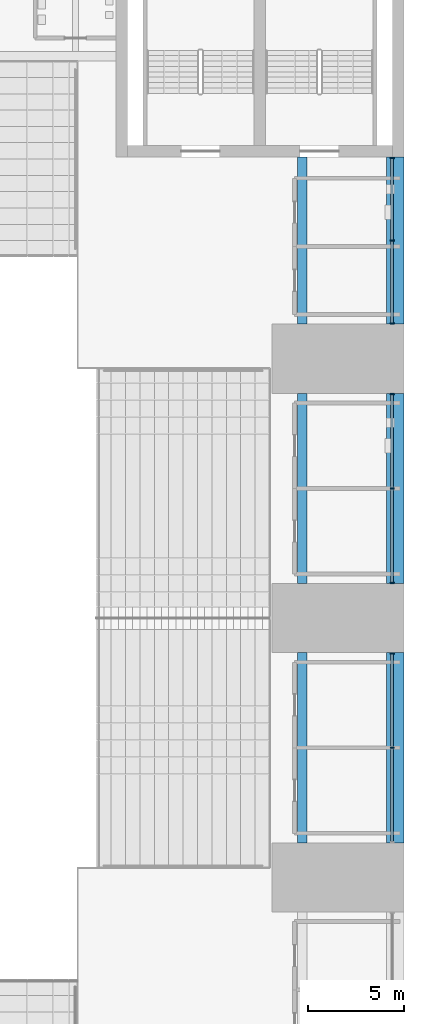
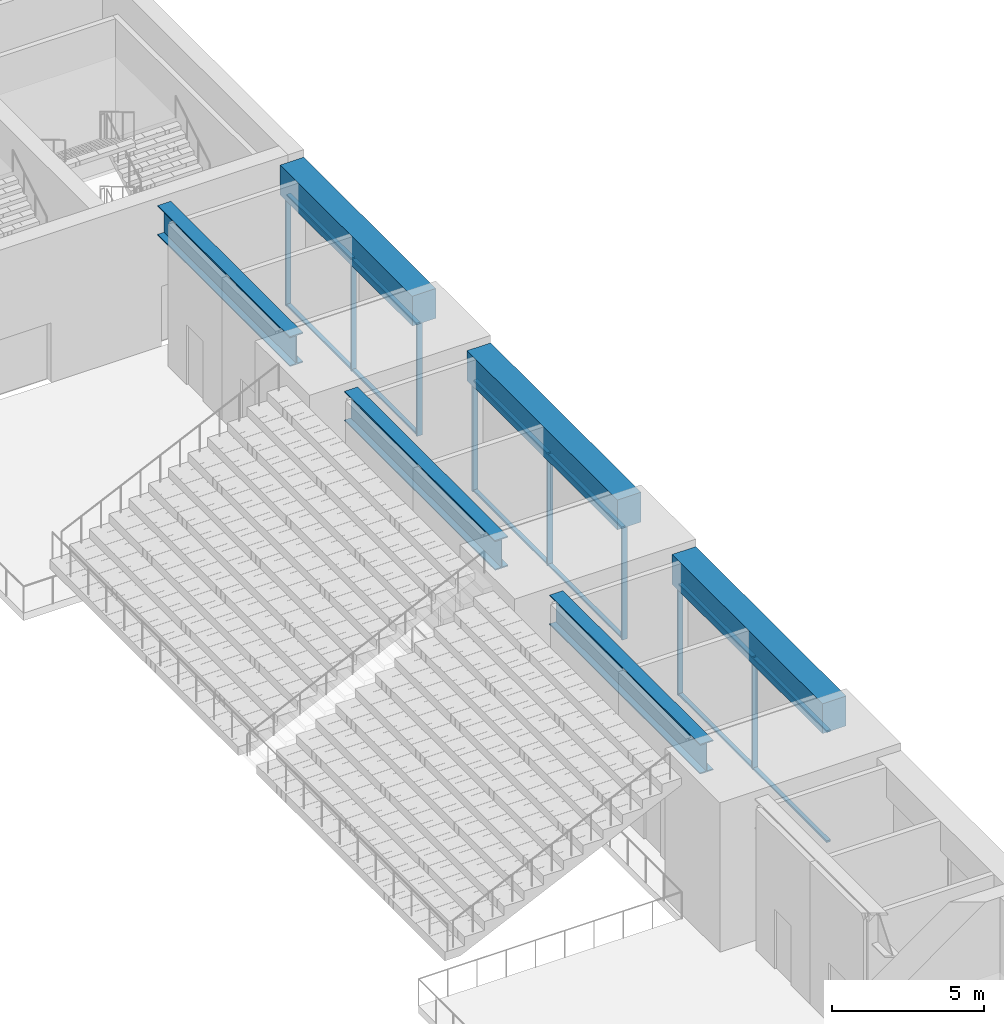
# One storey, part 9 of 61: 20 members, 6 beams, 3 elements without a shape of their own.
"""IFC4 building model written with IfcOpenShell, lengths in metres."""

from ifc_helpers import new_model, si_unit, direction, frame, origin, origin_2d, place, context, subcontext, project, spatial, rectangle, i_section, extrude, material, layer, layer_set, material_profile, profile_set, type_object, element, aggregate, save


model = new_model("IFC4")

# Units and contexts
model_context = context("Model", 3, precision=1e-05, world=origin(), true_north=direction((0.0, 1.0)))
body_context = subcontext(model_context, "Body", "Model", "MODEL_VIEW")
ifc_project = project(units=[si_unit("LENGTHUNIT", "METRE"), si_unit("AREAUNIT", "SQUARE_METRE"), si_unit("VOLUMEUNIT", "CUBIC_METRE"), si_unit("PLANEANGLEUNIT", "RADIAN"), si_unit("MASSUNIT", "GRAM", prefix="KILO")], contexts=[model_context])

# Site, building, storey
site_placement = place(None, origin())
site = spatial("IfcSite", under=ifc_project, at=site_placement, CompositionType="ELEMENT")
building_placement = place(site_placement, origin())
building = spatial("IfcBuilding", under=site, at=building_placement, Name="Corbelhall Arena Tower", CompositionType="ELEMENT")
storey_placement = place(building_placement, frame((0.0, 0.0, 31.0)))
storey = spatial("IfcBuildingStorey", under=building, at=storey_placement, Name="L04", CompositionType="ELEMENT", Elevation=31.0)

# Curtain wall, members
ifc_material_1 = material(Name="Aluminium black anodised", Category="aluminium")
ifc_layer = layer(ifc_material_1, 0.239990234375)
ifc_layer_set = layer_set([ifc_layer], Name="EV-CW4 Arena concourse glazing")
curtain_wall_type = type_object("IfcCurtainWallType", Name="EV-CW4 Arena concourse glazing", PredefinedType="NOTDEFINED", material=ifc_layer_set)
curtain_wall_1_placement = place(storey_placement, origin())
curtain_wall_1 = element("IfcCurtainWall", 1, at=curtain_wall_1_placement, inside=storey, type_object=curtain_wall_type, Name="Curtain wall CW4", PredefinedType="NOTDEFINED")
ifc_material_profile_1 = material_profile(ifc_material_1, rectangle(XDim=0.199951171875, YDim=0.074951171875, at=origin_2d()))
ifc_profile_set_1 = profile_set([ifc_material_profile_1], Name="Aluminium black anodised")
member_type_1 = type_object("IfcMemberType", Name="EV-CW4-MULLION", PredefinedType="MULLION", material=ifc_profile_set_1)
member_1_placement = place(storey_placement, frame((47.3798828125, -6.75, 0.0), z_axis=(0.0, 0.0, 1.0), x_axis=(-1.0, 0.0, 0.0)))
member_1 = element("IfcMember", 2, at=member_1_placement, type_object=member_type_1, Name="CW4 mullion 2", PredefinedType="MULLION", context=body_context, shape_type="SweptSolid", body=[
    extrude(rectangle(XDim=0.199951171875, YDim=0.074951171875, at=origin_2d()), origin(), (0.0, 0.0, 1.0), 4.5),
])
member_2_placement = place(storey_placement, frame((47.3798828125, -1.83740234375, 0.0), z_axis=(0.0, 0.0, 1.0), x_axis=(-1.0, 0.0, 0.0)))
member_2 = element("IfcMember", 3, at=member_2_placement, type_object=member_type_1, Name="CW4 mullion 3", PredefinedType="MULLION", context=body_context, shape_type="SweptSolid", body=[
    extrude(rectangle(XDim=0.199951171875, YDim=0.074951171875, at=origin_2d()), origin(), (0.0, 0.0, 1.0), 4.5),
])

curtain_wall_2_placement = place(storey_placement, origin())
curtain_wall_2 = element("IfcCurtainWall", 4, at=curtain_wall_2_placement, inside=storey, type_object=curtain_wall_type, Name="Curtain wall CW4", PredefinedType="NOTDEFINED")
member_3_placement = place(storey_placement, frame((47.3798828125, 1.83740234375, 0.0), z_axis=(0.0, 0.0, 1.0), x_axis=(-1.0, 0.0, 0.0)))
member_3 = element("IfcMember", 5, at=member_3_placement, type_object=member_type_1, Name="CW4 mullion 1", PredefinedType="MULLION", context=body_context, shape_type="SweptSolid", body=[
    extrude(rectangle(XDim=0.199951171875, YDim=0.074951171875, at=origin_2d()), origin(), (0.0, 0.0, 1.0), 4.5),
])
member_4_placement = place(storey_placement, frame((47.3798828125, 6.75, 0.0), z_axis=(0.0, 0.0, 1.0), x_axis=(-1.0, 0.0, 0.0)))
member_4 = element("IfcMember", 6, at=member_4_placement, type_object=member_type_1, Name="CW4 mullion 2", PredefinedType="MULLION", context=body_context, shape_type="SweptSolid", body=[
    extrude(rectangle(XDim=0.199951171875, YDim=0.074951171875, at=origin_2d()), origin(), (0.0, 0.0, 1.0), 4.5),
])
member_5_placement = place(storey_placement, frame((47.3798828125, 11.66259765625, 0.0), z_axis=(0.0, 0.0, 1.0), x_axis=(-1.0, 0.0, 0.0)))
member_5 = element("IfcMember", 7, at=member_5_placement, type_object=member_type_1, Name="CW4 mullion 3", PredefinedType="MULLION", context=body_context, shape_type="SweptSolid", body=[
    extrude(rectangle(XDim=0.199951171875, YDim=0.074951171875, at=origin_2d()), origin(), (0.0, 0.0, 1.0), 4.5),
])

curtain_wall_3_placement = place(storey_placement, origin())
curtain_wall_3 = element("IfcCurtainWall", 8, at=curtain_wall_3_placement, inside=storey, type_object=curtain_wall_type, Name="Curtain wall CW4B", PredefinedType="NOTDEFINED")
member_6_placement = place(storey_placement, frame((47.3798828125, 15.33740234375, 0.0), z_axis=(0.0, 0.0, 1.0), x_axis=(-1.0, 0.0, 0.0)))
member_6 = element("IfcMember", 9, at=member_6_placement, type_object=member_type_1, Name="CW4B mullion 1", PredefinedType="MULLION", context=body_context, shape_type="SweptSolid", body=[
    extrude(rectangle(XDim=0.199951171875, YDim=0.074951171875, at=origin_2d()), origin(), (0.0, 0.0, 1.0), 4.5),
])
member_7_placement = place(storey_placement, frame((47.3798828125, 19.64990234375, 0.0), z_axis=(0.0, 0.0, 1.0), x_axis=(-1.0, 0.0, 0.0)))
member_7 = element("IfcMember", 10, at=member_7_placement, type_object=member_type_1, Name="CW4B mullion 2", PredefinedType="MULLION", context=body_context, shape_type="SweptSolid", body=[
    extrude(rectangle(XDim=0.199951171875, YDim=0.074951171875, at=origin_2d()), origin(), (0.0, 0.0, 1.0), 4.5),
])
member_8_placement = place(storey_placement, frame((47.3798828125, 23.96240234375, 0.0), z_axis=(0.0, 0.0, 1.0), x_axis=(-1.0, 0.0, 0.0)))
member_8 = element("IfcMember", 11, at=member_8_placement, type_object=member_type_1, Name="CW4B mullion 3", PredefinedType="MULLION", context=body_context, shape_type="SweptSolid", body=[
    extrude(rectangle(XDim=0.199951171875, YDim=0.074951171875, at=origin_2d()), origin(), (0.0, 0.0, 1.0), 4.5),
])

# Member
ifc_material_profile_2 = material_profile(ifc_material_1, rectangle(XDim=0.14990234375, YDim=0.074951171875, at=origin_2d()))
ifc_profile_set_2 = profile_set([ifc_material_profile_2], Name="Aluminium black anodised")
member_type_2 = type_object("IfcMemberType", Name="EV-CW4-TRANSOM", PredefinedType="USERDEFINED", material=ifc_profile_set_2)
member_9_placement = place(storey_placement, frame((47.3798828125, -11.625, 0.03759765625), z_axis=(0.0, 1.0, 0.0), x_axis=(-1.0, 0.0, 0.0)))
member_9 = element("IfcMember", 12, at=member_9_placement, type_object=member_type_2, Name="CW4 transom 1.1", ObjectType="transom", PredefinedType="USERDEFINED", context=body_context, shape_type="SweptSolid", body=[
    extrude(rectangle(XDim=0.14990234375, YDim=0.074951171875, at=origin_2d()), origin(), (0.0, 0.0, 1.0), 4.83740234375),
])

member_10_placement = place(storey_placement, frame((47.3798828125, -11.625, 4.46240234375), z_axis=(0.0, 1.0, 0.0), x_axis=(-1.0, 0.0, 0.0)))
member_10 = element("IfcMember", 13, at=member_10_placement, type_object=member_type_2, Name="CW4 transom 1.2", ObjectType="transom", PredefinedType="USERDEFINED", context=body_context, shape_type="SweptSolid", body=[
    extrude(rectangle(XDim=0.14990234375, YDim=0.074951171875, at=origin_2d()), origin(), (0.0, 0.0, 1.0), 4.83740234375),
])

member_11_placement = place(storey_placement, frame((47.3798828125, -6.71240234375, 0.03759765625), z_axis=(0.0, 1.0, 0.0), x_axis=(-1.0, 0.0, 0.0)))
member_11 = element("IfcMember", 14, at=member_11_placement, type_object=member_type_2, Name="CW4 transom 2.1", ObjectType="transom", PredefinedType="USERDEFINED", context=body_context, shape_type="SweptSolid", body=[
    extrude(rectangle(XDim=0.14990234375, YDim=0.074951171875, at=origin_2d()), origin(), (0.0, 0.0, 1.0), 4.83740234375),
])

member_12_placement = place(storey_placement, frame((47.3798828125, -6.71240234375, 4.46240234375), z_axis=(0.0, 1.0, 0.0), x_axis=(-1.0, 0.0, 0.0)))
member_12 = element("IfcMember", 15, at=member_12_placement, type_object=member_type_2, Name="CW4 transom 2.2", ObjectType="transom", PredefinedType="USERDEFINED", context=body_context, shape_type="SweptSolid", body=[
    extrude(rectangle(XDim=0.14990234375, YDim=0.074951171875, at=origin_2d()), origin(), (0.0, 0.0, 1.0), 4.83740234375),
])

aggregate(curtain_wall_1, [member_1, member_2, member_9, member_10, member_11, member_12])

member_13_placement = place(storey_placement, frame((47.3798828125, 1.875, 0.03759765625), z_axis=(0.0, 1.0, 0.0), x_axis=(-1.0, 0.0, 0.0)))
member_13 = element("IfcMember", 16, at=member_13_placement, type_object=member_type_2, Name="CW4 transom 1.1", ObjectType="transom", PredefinedType="USERDEFINED", context=body_context, shape_type="SweptSolid", body=[
    extrude(rectangle(XDim=0.14990234375, YDim=0.074951171875, at=origin_2d()), origin(), (0.0, 0.0, 1.0), 4.83740234375),
])

member_14_placement = place(storey_placement, frame((47.3798828125, 1.875, 4.46240234375), z_axis=(0.0, 1.0, 0.0), x_axis=(-1.0, 0.0, 0.0)))
member_14 = element("IfcMember", 17, at=member_14_placement, type_object=member_type_2, Name="CW4 transom 1.2", ObjectType="transom", PredefinedType="USERDEFINED", context=body_context, shape_type="SweptSolid", body=[
    extrude(rectangle(XDim=0.14990234375, YDim=0.074951171875, at=origin_2d()), origin(), (0.0, 0.0, 1.0), 4.83740234375),
])

member_15_placement = place(storey_placement, frame((47.3798828125, 6.78759765625, 0.03759765625), z_axis=(0.0, 1.0, 0.0), x_axis=(-1.0, 0.0, 0.0)))
member_15 = element("IfcMember", 18, at=member_15_placement, type_object=member_type_2, Name="CW4 transom 2.1", ObjectType="transom", PredefinedType="USERDEFINED", context=body_context, shape_type="SweptSolid", body=[
    extrude(rectangle(XDim=0.14990234375, YDim=0.074951171875, at=origin_2d()), origin(), (0.0, 0.0, 1.0), 4.83740234375),
])

member_16_placement = place(storey_placement, frame((47.3798828125, 6.78759765625, 4.46240234375), z_axis=(0.0, 1.0, 0.0), x_axis=(-1.0, 0.0, 0.0)))
member_16 = element("IfcMember", 19, at=member_16_placement, type_object=member_type_2, Name="CW4 transom 2.2", ObjectType="transom", PredefinedType="USERDEFINED", context=body_context, shape_type="SweptSolid", body=[
    extrude(rectangle(XDim=0.14990234375, YDim=0.074951171875, at=origin_2d()), origin(), (0.0, 0.0, 1.0), 4.83740234375),
])

aggregate(curtain_wall_2, [member_3, member_4, member_5, member_13, member_14, member_15, member_16])

member_17_placement = place(storey_placement, frame((47.3798828125, 15.375, 0.03759765625), z_axis=(0.0, 1.0, 0.0), x_axis=(-1.0, 0.0, 0.0)))
member_17 = element("IfcMember", 20, at=member_17_placement, type_object=member_type_2, Name="CW4B transom 1.1", ObjectType="transom", PredefinedType="USERDEFINED", context=body_context, shape_type="SweptSolid", body=[
    extrude(rectangle(XDim=0.14990234375, YDim=0.074951171875, at=origin_2d()), origin(), (0.0, 0.0, 1.0), 4.237548828125),
])

member_18_placement = place(storey_placement, frame((47.3798828125, 15.375, 4.46240234375), z_axis=(0.0, 1.0, 0.0), x_axis=(-1.0, 0.0, 0.0)))
member_18 = element("IfcMember", 21, at=member_18_placement, type_object=member_type_2, Name="CW4B transom 1.2", ObjectType="transom", PredefinedType="USERDEFINED", context=body_context, shape_type="SweptSolid", body=[
    extrude(rectangle(XDim=0.14990234375, YDim=0.074951171875, at=origin_2d()), origin(), (0.0, 0.0, 1.0), 4.237548828125),
])

member_19_placement = place(storey_placement, frame((47.3798828125, 19.6875, 0.03759765625), z_axis=(0.0, 1.0, 0.0), x_axis=(-1.0, 0.0, 0.0)))
member_19 = element("IfcMember", 22, at=member_19_placement, type_object=member_type_2, Name="CW4B transom 2.1", ObjectType="transom", PredefinedType="USERDEFINED", context=body_context, shape_type="SweptSolid", body=[
    extrude(rectangle(XDim=0.14990234375, YDim=0.074951171875, at=origin_2d()), origin(), (0.0, 0.0, 1.0), 4.237548828125),
])

member_20_placement = place(storey_placement, frame((47.3798828125, 19.6875, 4.46240234375), z_axis=(0.0, 1.0, 0.0), x_axis=(-1.0, 0.0, 0.0)))
member_20 = element("IfcMember", 23, at=member_20_placement, type_object=member_type_2, Name="CW4B transom 2.2", ObjectType="transom", PredefinedType="USERDEFINED", context=body_context, shape_type="SweptSolid", body=[
    extrude(rectangle(XDim=0.14990234375, YDim=0.074951171875, at=origin_2d()), origin(), (0.0, 0.0, 1.0), 4.237548828125),
])

aggregate(curtain_wall_3, [member_6, member_7, member_8, member_17, member_18, member_19, member_20])

# Beams
ifc_material_2 = material(Name="Steel ASTM A572 Gr50", Category="steel")
ifc_material_profile_3 = material_profile(ifc_material_2, i_section(OverallWidth=0.5, OverallDepth=1.199951171875, WebThickness=0.02490234375, FlangeThickness=0.044921875, at=origin_2d()))
ifc_profile_set_3 = profile_set([ifc_material_profile_3], Name="Steel ASTM A572 Gr50")
beam_type_1 = type_object("IfcBeamType", Name="PO-GIRDER-PG1200X500X25X45", PredefinedType="BEAM", material=ifc_profile_set_3)
for number, where, z_axis, x_axis, name in (
    (24, (42.699951171875, -11.699951171875, 5.10009765625), (0.0, 1.0, 0.0), (-1.0, 0.0, 0.0), "INNER END GIRDER"),
    (25, (42.699951171875, 1.800048828125, 5.10009765625), (0.0, 1.0, 0.0), (-1.0, 0.0, 0.0), "INNER END GIRDER"),
):
    element("IfcBeam", number, at=place(storey_placement, frame(where, z_axis=z_axis, x_axis=x_axis)), inside=storey, type_object=beam_type_1, Name=name, PredefinedType="BEAM", context=body_context, shape_type="SweptSolid", body=[
        extrude(i_section(OverallWidth=0.5, OverallDepth=1.199951171875, WebThickness=0.02490234375, FlangeThickness=0.044921875, at=origin_2d()), origin(), (0.0, 0.0, 1.0), 9.89990234375),
    ])
beam_1_placement = place(storey_placement, frame((42.699951171875, 15.300048828125, 5.10009765625), z_axis=(0.0, 1.0, 0.0), x_axis=(-1.0, 0.0, 0.0)))
element("IfcBeam", 26, at=beam_1_placement, inside=storey, type_object=beam_type_1, Name="INNER END GIRDER", PredefinedType="BEAM", context=body_context, shape_type="SweptSolid", body=[
    extrude(i_section(OverallWidth=0.5, OverallDepth=1.199951171875, WebThickness=0.02490234375, FlangeThickness=0.044921875, at=origin_2d()), origin(), (0.0, 0.0, 1.0), 8.699951171875),
])
ifc_material_3 = material(Name="Concrete C80/95", Category="concrete")
ifc_material_profile_4 = material_profile(ifc_material_3, rectangle(XDim=0.89990234375, YDim=1.199951171875, at=origin_2d()))
ifc_profile_set_4 = profile_set([ifc_material_profile_4], Name="Concrete C80/95")
beam_type_2 = type_object("IfcBeamType", Name="PO-RING-BEAM", PredefinedType="BEAM", material=ifc_profile_set_4)
for number, where, z_axis, x_axis, name in (
    (27, (47.550048828125, -11.699951171875, 5.10009765625), (0.0, 1.0, 0.0), (-1.0, 0.0, 0.0), "RING GIRDER L05 E2"),
    (28, (47.550048828125, 1.800048828125, 5.10009765625), (0.0, 1.0, 0.0), (-1.0, 0.0, 0.0), "RING GIRDER L05 E3"),
):
    element("IfcBeam", number, at=place(storey_placement, frame(where, z_axis=z_axis, x_axis=x_axis)), inside=storey, type_object=beam_type_2, Name=name, PredefinedType="BEAM", context=body_context, shape_type="SweptSolid", body=[
        extrude(rectangle(XDim=0.89990234375, YDim=1.199951171875, at=origin_2d()), origin(), (0.0, 0.0, 1.0), 9.89990234375),
    ])
beam_2_placement = place(storey_placement, frame((47.550048828125, 15.300048828125, 5.10009765625), z_axis=(0.0, 1.0, 0.0), x_axis=(-1.0, 0.0, 0.0)))
element("IfcBeam", 29, at=beam_2_placement, inside=storey, type_object=beam_type_2, Name="RING GIRDER L05 E4", PredefinedType="BEAM", context=body_context, shape_type="SweptSolid", body=[
    extrude(rectangle(XDim=0.89990234375, YDim=1.199951171875, at=origin_2d()), origin(), (0.0, 0.0, 1.0), 8.699951171875),
])

save(model, "model.ifc")
